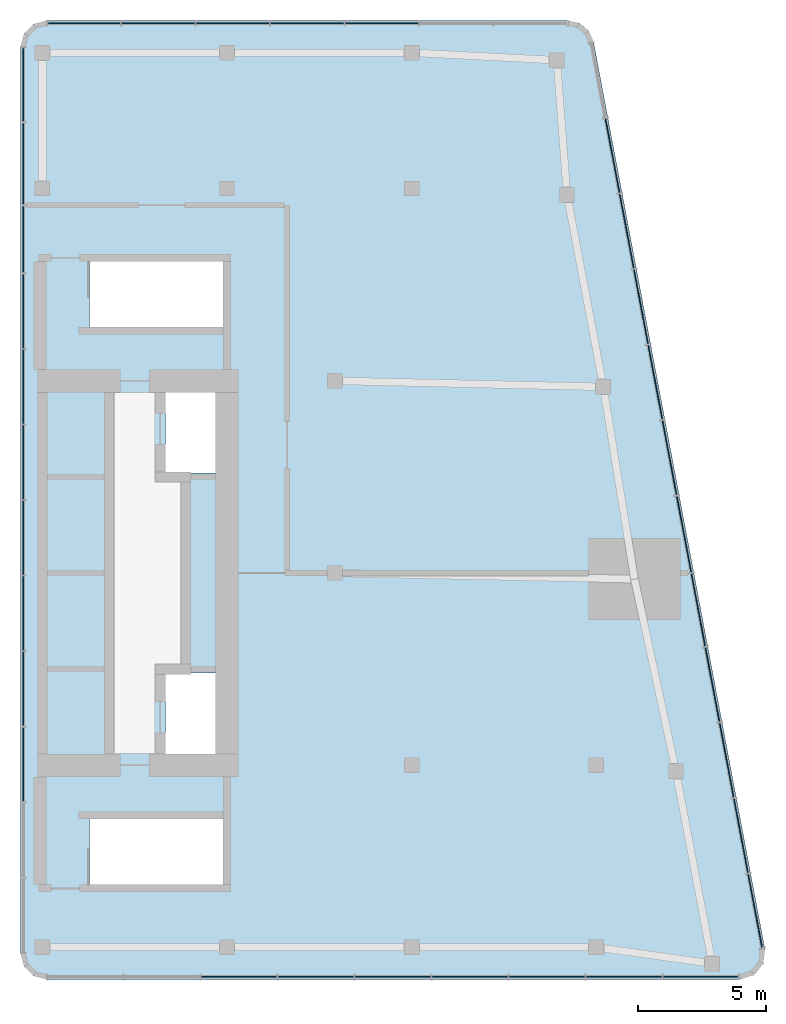
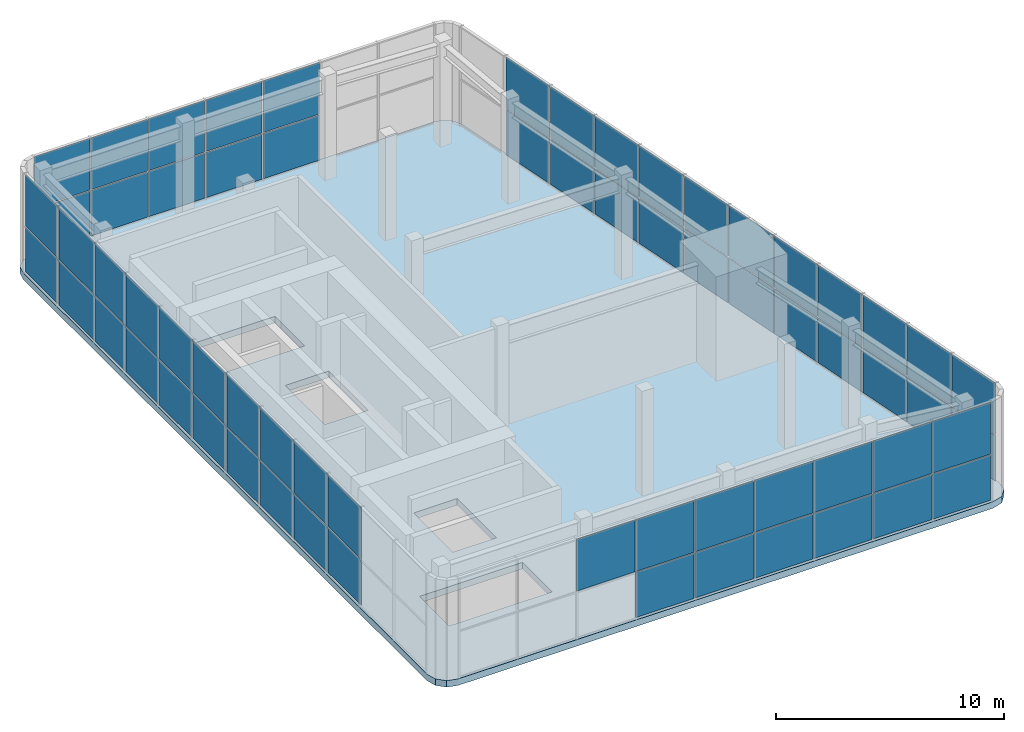
# One storey, part 4 of 6: 65 plates, 1 slab, 4 elements without a shape of their own.
"""IFC4 building model written with IfcOpenShell, lengths in metres."""

from ifc_helpers import new_model, si_unit, direction, frame, origin, origin_2d, place, context, subcontext, project, spatial, polyline, rectangle, outline, extrude, material, layer, layer_set, type_object, element, aggregate, save


model = new_model("IFC4")

# Units and contexts
model_context = context("Model", 3, precision=1e-05, world=origin(), true_north=direction((0.0, 1.0)))
body_context = subcontext(model_context, "Body", "Model", "MODEL_VIEW")
ifc_project = project(units=[si_unit("LENGTHUNIT", "METRE"), si_unit("AREAUNIT", "SQUARE_METRE"), si_unit("VOLUMEUNIT", "CUBIC_METRE"), si_unit("PLANEANGLEUNIT", "RADIAN"), si_unit("MASSUNIT", "GRAM", prefix="KILO")], contexts=[model_context])

# Site, building, storey
site_placement = place(None, origin())
site = spatial("IfcSite", under=ifc_project, at=site_placement, CompositionType="ELEMENT")
building_placement = place(site_placement, origin())
building = spatial("IfcBuilding", under=site, at=building_placement, Name="Sheger Commons Tower", CompositionType="ELEMENT")
storey_placement = place(building_placement, frame((0.0, 0.0, 301.60009765625)))
storey = spatial("IfcBuildingStorey", under=building, at=storey_placement, Name="L77", CompositionType="ELEMENT", Elevation=301.60009765625)

# Curtain wall, plates
ifc_material_1 = material(Name="Black aluminium curtain wall, dark tinted glazing", Category="aluminium")
curtain_wall_type = type_object("IfcCurtainWallType", Name="CURTAIN WALL CW6 LANTERN", PredefinedType="USERDEFINED", material=ifc_material_1)
curtain_wall_1_placement = place(storey_placement, origin())
curtain_wall_1 = element("IfcCurtainWall", 1, at=curtain_wall_1_placement, inside=storey, type_object=curtain_wall_type, Name="Curtain Wall Cw6 Lantern S1 L77", ObjectType="UNITISED CURTAIN WALL", PredefinedType="USERDEFINED")
ifc_material_2 = material(Name="Dark tinted double glazing, laminated inner and outer panes", Category="glass")
ifc_layer_1 = layer(ifc_material_2, 0.0439453125)
ifc_layer_set_1 = layer_set([ifc_layer_1], Name="GLAZED PANEL 44")
plate_type = type_object("IfcPlateType", Name="GLAZED PANEL 44", PredefinedType="CURTAIN_PANEL", material=ifc_layer_set_1)
plate_1_placement = place(storey_placement, frame((29.269775390625, 6.75, 2.532470703125), z_axis=(0.0, 0.0, 1.0), x_axis=(1.0, 0.0, 0.0)))
plate_1 = element("IfcPlate", 2, at=plate_1_placement, type_object=plate_type, Name="CW6 panel 3.2", PredefinedType="CURTAIN_PANEL", context=body_context, shape_type="SweptSolid", body=[
    extrude(rectangle(XDim=2.937744140625, YDim=0.0439453125, at=origin_2d()), origin(), (0.0, 0.0, 1.0), 2.75244140625),
])
plate_2_placement = place(storey_placement, frame((32.272216796875, 6.75, 0.06494140625), z_axis=(0.0, 0.0, 1.0), x_axis=(1.0, 0.0, 0.0)))
plate_2 = element("IfcPlate", 3, at=plate_2_placement, type_object=plate_type, Name="CW6 panel 4.1", PredefinedType="CURTAIN_PANEL", context=body_context, shape_type="SweptSolid", body=[
    extrude(rectangle(XDim=2.937744140625, YDim=0.0439453125, at=origin_2d()), origin(), (0.0, 0.0, 1.0), 2.402587890625),
])
plate_3_placement = place(storey_placement, frame((32.272216796875, 6.75, 2.532470703125), z_axis=(0.0, 0.0, 1.0), x_axis=(1.0, 0.0, 0.0)))
plate_3 = element("IfcPlate", 4, at=plate_3_placement, type_object=plate_type, Name="CW6 panel 4.2", PredefinedType="CURTAIN_PANEL", context=body_context, shape_type="SweptSolid", body=[
    extrude(rectangle(XDim=2.937744140625, YDim=0.0439453125, at=origin_2d()), origin(), (0.0, 0.0, 1.0), 2.75244140625),
])
plate_4_placement = place(storey_placement, frame((35.27490234375, 6.75, 0.06494140625), z_axis=(0.0, 0.0, 1.0), x_axis=(1.0, 0.0, 0.0)))
plate_4 = element("IfcPlate", 5, at=plate_4_placement, type_object=plate_type, Name="CW6 panel 5.1", PredefinedType="CURTAIN_PANEL", context=body_context, shape_type="SweptSolid", body=[
    extrude(rectangle(XDim=2.937744140625, YDim=0.0439453125, at=origin_2d()), origin(), (0.0, 0.0, 1.0), 2.402587890625),
])
plate_5_placement = place(storey_placement, frame((35.27490234375, 6.75, 2.532470703125), z_axis=(0.0, 0.0, 1.0), x_axis=(1.0, 0.0, 0.0)))
plate_5 = element("IfcPlate", 6, at=plate_5_placement, type_object=plate_type, Name="CW6 panel 5.2", PredefinedType="CURTAIN_PANEL", context=body_context, shape_type="SweptSolid", body=[
    extrude(rectangle(XDim=2.937744140625, YDim=0.0439453125, at=origin_2d()), origin(), (0.0, 0.0, 1.0), 2.75244140625),
])
plate_6_placement = place(storey_placement, frame((38.277587890625, 6.75, 0.06494140625), z_axis=(0.0, 0.0, 1.0), x_axis=(1.0, 0.0, 0.0)))
plate_6 = element("IfcPlate", 7, at=plate_6_placement, type_object=plate_type, Name="CW6 panel 6.1", PredefinedType="CURTAIN_PANEL", context=body_context, shape_type="SweptSolid", body=[
    extrude(rectangle(XDim=2.937744140625, YDim=0.0439453125, at=origin_2d()), origin(), (0.0, 0.0, 1.0), 2.402587890625),
])
plate_7_placement = place(storey_placement, frame((38.277587890625, 6.75, 2.532470703125), z_axis=(0.0, 0.0, 1.0), x_axis=(1.0, 0.0, 0.0)))
plate_7 = element("IfcPlate", 8, at=plate_7_placement, type_object=plate_type, Name="CW6 panel 6.2", PredefinedType="CURTAIN_PANEL", context=body_context, shape_type="SweptSolid", body=[
    extrude(rectangle(XDim=2.937744140625, YDim=0.0439453125, at=origin_2d()), origin(), (0.0, 0.0, 1.0), 2.75244140625),
])
plate_8_placement = place(storey_placement, frame((41.2802734375, 6.75, 0.06494140625), z_axis=(0.0, 0.0, 1.0), x_axis=(1.0, 0.0, 0.0)))
plate_8 = element("IfcPlate", 9, at=plate_8_placement, type_object=plate_type, Name="CW6 panel 7.1", PredefinedType="CURTAIN_PANEL", context=body_context, shape_type="SweptSolid", body=[
    extrude(rectangle(XDim=2.937744140625, YDim=0.0439453125, at=origin_2d()), origin(), (0.0, 0.0, 1.0), 2.402587890625),
])
plate_9_placement = place(storey_placement, frame((41.2802734375, 6.75, 2.532470703125), z_axis=(0.0, 0.0, 1.0), x_axis=(1.0, 0.0, 0.0)))
plate_9 = element("IfcPlate", 10, at=plate_9_placement, type_object=plate_type, Name="CW6 panel 7.2", PredefinedType="CURTAIN_PANEL", context=body_context, shape_type="SweptSolid", body=[
    extrude(rectangle(XDim=2.937744140625, YDim=0.0439453125, at=origin_2d()), origin(), (0.0, 0.0, 1.0), 2.75244140625),
])
plate_10_placement = place(storey_placement, frame((44.282958984375, 6.75, 0.06494140625), z_axis=(0.0, 0.0, 1.0), x_axis=(1.0, 0.0, 0.0)))
plate_10 = element("IfcPlate", 11, at=plate_10_placement, type_object=plate_type, Name="CW6 panel 8.1", PredefinedType="CURTAIN_PANEL", context=body_context, shape_type="SweptSolid", body=[
    extrude(rectangle(XDim=2.937744140625, YDim=0.0439453125, at=origin_2d()), origin(), (0.0, 0.0, 1.0), 2.402587890625),
])
plate_11_placement = place(storey_placement, frame((44.282958984375, 6.75, 2.532470703125), z_axis=(0.0, 0.0, 1.0), x_axis=(1.0, 0.0, 0.0)))
plate_11 = element("IfcPlate", 12, at=plate_11_placement, type_object=plate_type, Name="CW6 panel 8.2", PredefinedType="CURTAIN_PANEL", context=body_context, shape_type="SweptSolid", body=[
    extrude(rectangle(XDim=2.937744140625, YDim=0.0439453125, at=origin_2d()), origin(), (0.0, 0.0, 1.0), 2.75244140625),
])
plate_12_placement = place(storey_placement, frame((47.26953125, 6.75, 0.06494140625), z_axis=(0.0, 0.0, 1.0), x_axis=(1.0, 0.0, 0.0)))
plate_12 = element("IfcPlate", 13, at=plate_12_placement, type_object=plate_type, Name="CW6 panel 9.1", PredefinedType="CURTAIN_PANEL", context=body_context, shape_type="SweptSolid", body=[
    extrude(rectangle(XDim=2.9052734375, YDim=0.0439453125, at=origin_2d()), origin(), (0.0, 0.0, 1.0), 2.402587890625),
])
plate_13_placement = place(storey_placement, frame((47.26953125, 6.75, 2.532470703125), z_axis=(0.0, 0.0, 1.0), x_axis=(1.0, 0.0, 0.0)))
plate_13 = element("IfcPlate", 14, at=plate_13_placement, type_object=plate_type, Name="CW6 panel 9.2", PredefinedType="CURTAIN_PANEL", context=body_context, shape_type="SweptSolid", body=[
    extrude(rectangle(XDim=2.9052734375, YDim=0.0439453125, at=origin_2d()), origin(), (0.0, 0.0, 1.0), 2.75244140625),
])
aggregate(curtain_wall_1, [plate_1, plate_2, plate_3, plate_4, plate_5, plate_6, plate_7, plate_8, plate_9, plate_10, plate_11, plate_12, plate_13])

curtain_wall_2_placement = place(storey_placement, origin())
curtain_wall_2 = element("IfcCurtainWall", 15, at=curtain_wall_2_placement, inside=storey, type_object=curtain_wall_type, Name="Curtain Wall Cw6 Lantern E1 L77", ObjectType="UNITISED CURTAIN WALL", PredefinedType="USERDEFINED")
plate_14_placement = place(storey_placement, frame((49.402587890625, 9.322021484375, 0.06494140625), z_axis=(0.0, 0.0, 1.0), x_axis=(-0.185613331041, 0.982622863229, 0.0)))
plate_14 = element("IfcPlate", 16, at=plate_14_placement, type_object=plate_type, Name="CW6 panel 1.1", PredefinedType="CURTAIN_PANEL", context=body_context, shape_type="SweptSolid", body=[
    extrude(rectangle(XDim=2.902587890625, YDim=0.0439453125, at=origin_2d()), origin(), (0.0, 0.0, 1.0), 2.402587890625),
])
plate_15_placement = place(storey_placement, frame((49.402587890625, 9.322021484375, 2.532470703125), z_axis=(0.0, 0.0, 1.0), x_axis=(-0.185613331041, 0.982622863229, 0.0)))
plate_15 = element("IfcPlate", 17, at=plate_15_placement, type_object=plate_type, Name="CW6 panel 1.2", PredefinedType="CURTAIN_PANEL", context=body_context, shape_type="SweptSolid", body=[
    extrude(rectangle(XDim=2.902587890625, YDim=0.0439453125, at=origin_2d()), origin(), (0.0, 0.0, 1.0), 2.75244140625),
])
plate_16_placement = place(storey_placement, frame((48.8486328125, 12.25390625, 0.06494140625), z_axis=(0.0, 0.0, 1.0), x_axis=(-0.185613331041, 0.982622863229, 0.0)))
plate_16 = element("IfcPlate", 18, at=plate_16_placement, type_object=plate_type, Name="CW6 panel 2.1", PredefinedType="CURTAIN_PANEL", context=body_context, shape_type="SweptSolid", body=[
    extrude(rectangle(XDim=2.93505859375, YDim=0.0439453125, at=origin_2d()), origin(), (0.0, 0.0, 1.0), 2.402587890625),
])
plate_17_placement = place(storey_placement, frame((48.8486328125, 12.25390625, 2.532470703125), z_axis=(0.0, 0.0, 1.0), x_axis=(-0.185613331041, 0.982622863229, 0.0)))
plate_17 = element("IfcPlate", 19, at=plate_17_placement, type_object=plate_type, Name="CW6 panel 2.2", PredefinedType="CURTAIN_PANEL", context=body_context, shape_type="SweptSolid", body=[
    extrude(rectangle(XDim=2.93505859375, YDim=0.0439453125, at=origin_2d()), origin(), (0.0, 0.0, 1.0), 2.75244140625),
])
plate_18_placement = place(storey_placement, frame((48.2919921875, 15.20166015625, 0.06494140625), z_axis=(0.0, 0.0, 1.0), x_axis=(-0.185613331041, 0.982622863229, 0.0)))
plate_18 = element("IfcPlate", 20, at=plate_18_placement, type_object=plate_type, Name="CW6 panel 3.1", PredefinedType="CURTAIN_PANEL", context=body_context, shape_type="SweptSolid", body=[
    extrude(rectangle(XDim=2.93505859375, YDim=0.0439453125, at=origin_2d()), origin(), (0.0, 0.0, 1.0), 2.402587890625),
])
plate_19_placement = place(storey_placement, frame((48.2919921875, 15.20166015625, 2.532470703125), z_axis=(0.0, 0.0, 1.0), x_axis=(-0.185613331041, 0.982622863229, 0.0)))
plate_19 = element("IfcPlate", 21, at=plate_19_placement, type_object=plate_type, Name="CW6 panel 3.2", PredefinedType="CURTAIN_PANEL", context=body_context, shape_type="SweptSolid", body=[
    extrude(rectangle(XDim=2.93505859375, YDim=0.0439453125, at=origin_2d()), origin(), (0.0, 0.0, 1.0), 2.75244140625),
])
plate_20_placement = place(storey_placement, frame((47.735107421875, 18.149658203125, 0.06494140625), z_axis=(0.0, 0.0, 1.0), x_axis=(-0.185613331041, 0.982622863229, 0.0)))
plate_20 = element("IfcPlate", 22, at=plate_20_placement, type_object=plate_type, Name="CW6 panel 4.1", PredefinedType="CURTAIN_PANEL", context=body_context, shape_type="SweptSolid", body=[
    extrude(rectangle(XDim=2.93505859375, YDim=0.0439453125, at=origin_2d()), origin(), (0.0, 0.0, 1.0), 2.402587890625),
])
plate_21_placement = place(storey_placement, frame((47.735107421875, 18.149658203125, 2.532470703125), z_axis=(0.0, 0.0, 1.0), x_axis=(-0.185613331041, 0.982622863229, 0.0)))
plate_21 = element("IfcPlate", 23, at=plate_21_placement, type_object=plate_type, Name="CW6 panel 4.2", PredefinedType="CURTAIN_PANEL", context=body_context, shape_type="SweptSolid", body=[
    extrude(rectangle(XDim=2.93505859375, YDim=0.0439453125, at=origin_2d()), origin(), (0.0, 0.0, 1.0), 2.75244140625),
])
plate_22_placement = place(storey_placement, frame((47.18505859375, 21.0615234375, 0.06494140625), z_axis=(0.0, 0.0, 1.0), x_axis=(-0.185613331041, 0.982622863229, 0.0)))
plate_22 = element("IfcPlate", 24, at=plate_22_placement, type_object=plate_type, Name="CW6 panel 5.1", PredefinedType="CURTAIN_PANEL", context=body_context, shape_type="SweptSolid", body=[
    extrude(rectangle(XDim=2.862060546875, YDim=0.0439453125, at=origin_2d()), origin(), (0.0, 0.0, 1.0), 2.402587890625),
])
plate_23_placement = place(storey_placement, frame((47.18505859375, 21.0615234375, 2.532470703125), z_axis=(0.0, 0.0, 1.0), x_axis=(-0.185613331041, 0.982622863229, 0.0)))
plate_23 = element("IfcPlate", 25, at=plate_23_placement, type_object=plate_type, Name="CW6 panel 5.2", PredefinedType="CURTAIN_PANEL", context=body_context, shape_type="SweptSolid", body=[
    extrude(rectangle(XDim=2.862060546875, YDim=0.0439453125, at=origin_2d()), origin(), (0.0, 0.0, 1.0), 2.75244140625),
])
plate_24_placement = place(storey_placement, frame((46.628173828125, 24.009521484375, 0.06494140625), z_axis=(0.0, 0.0, 1.0), x_axis=(-0.185613331041, 0.982622863229, 0.0)))
plate_24 = element("IfcPlate", 26, at=plate_24_placement, type_object=plate_type, Name="CW6 panel 6.1", PredefinedType="CURTAIN_PANEL", context=body_context, shape_type="SweptSolid", body=[
    extrude(rectangle(XDim=3.008056640625, YDim=0.0439453125, at=origin_2d()), origin(), (0.0, 0.0, 1.0), 2.402587890625),
])
plate_25_placement = place(storey_placement, frame((46.628173828125, 24.009521484375, 2.532470703125), z_axis=(0.0, 0.0, 1.0), x_axis=(-0.185613331041, 0.982622863229, 0.0)))
plate_25 = element("IfcPlate", 27, at=plate_25_placement, type_object=plate_type, Name="CW6 panel 6.2", PredefinedType="CURTAIN_PANEL", context=body_context, shape_type="SweptSolid", body=[
    extrude(rectangle(XDim=3.008056640625, YDim=0.0439453125, at=origin_2d()), origin(), (0.0, 0.0, 1.0), 2.75244140625),
])
plate_26_placement = place(storey_placement, frame((46.064453125, 26.9931640625, 0.06494140625), z_axis=(0.0, 0.0, 1.0), x_axis=(-0.185613331041, 0.982622863229, 0.0)))
plate_26 = element("IfcPlate", 28, at=plate_26_placement, type_object=plate_type, Name="CW6 panel 7.1", PredefinedType="CURTAIN_PANEL", context=body_context, shape_type="SweptSolid", body=[
    extrude(rectangle(XDim=2.93505859375, YDim=0.0439453125, at=origin_2d()), origin(), (0.0, 0.0, 1.0), 2.402587890625),
])
plate_27_placement = place(storey_placement, frame((46.064453125, 26.9931640625, 2.532470703125), z_axis=(0.0, 0.0, 1.0), x_axis=(-0.185613331041, 0.982622863229, 0.0)))
plate_27 = element("IfcPlate", 29, at=plate_27_placement, type_object=plate_type, Name="CW6 panel 7.2", PredefinedType="CURTAIN_PANEL", context=body_context, shape_type="SweptSolid", body=[
    extrude(rectangle(XDim=2.93505859375, YDim=0.0439453125, at=origin_2d()), origin(), (0.0, 0.0, 1.0), 2.75244140625),
])
plate_28_placement = place(storey_placement, frame((45.5078125, 29.94091796875, 0.06494140625), z_axis=(0.0, 0.0, 1.0), x_axis=(-0.185613331041, 0.982622863229, 0.0)))
plate_28 = element("IfcPlate", 30, at=plate_28_placement, type_object=plate_type, Name="CW6 panel 8.1", PredefinedType="CURTAIN_PANEL", context=body_context, shape_type="SweptSolid", body=[
    extrude(rectangle(XDim=2.93505859375, YDim=0.0439453125, at=origin_2d()), origin(), (0.0, 0.0, 1.0), 2.402587890625),
])
plate_29_placement = place(storey_placement, frame((45.5078125, 29.94091796875, 2.532470703125), z_axis=(0.0, 0.0, 1.0), x_axis=(-0.185613331041, 0.982622863229, 0.0)))
plate_29 = element("IfcPlate", 31, at=plate_29_placement, type_object=plate_type, Name="CW6 panel 8.2", PredefinedType="CURTAIN_PANEL", context=body_context, shape_type="SweptSolid", body=[
    extrude(rectangle(XDim=2.93505859375, YDim=0.0439453125, at=origin_2d()), origin(), (0.0, 0.0, 1.0), 2.75244140625),
])
plate_30_placement = place(storey_placement, frame((44.950927734375, 32.888916015625, 0.06494140625), z_axis=(0.0, 0.0, 1.0), x_axis=(-0.185613331041, 0.982622863229, 0.0)))
plate_30 = element("IfcPlate", 32, at=plate_30_placement, type_object=plate_type, Name="CW6 panel 9.1", PredefinedType="CURTAIN_PANEL", context=body_context, shape_type="SweptSolid", body=[
    extrude(rectangle(XDim=2.93505859375, YDim=0.0439453125, at=origin_2d()), origin(), (0.0, 0.0, 1.0), 2.402587890625),
])
plate_31_placement = place(storey_placement, frame((44.950927734375, 32.888916015625, 2.532470703125), z_axis=(0.0, 0.0, 1.0), x_axis=(-0.185613331041, 0.982622863229, 0.0)))
plate_31 = element("IfcPlate", 33, at=plate_31_placement, type_object=plate_type, Name="CW6 panel 9.2", PredefinedType="CURTAIN_PANEL", context=body_context, shape_type="SweptSolid", body=[
    extrude(rectangle(XDim=2.93505859375, YDim=0.0439453125, at=origin_2d()), origin(), (0.0, 0.0, 1.0), 2.75244140625),
])
plate_32_placement = place(storey_placement, frame((44.39404296875, 35.836669921875, 0.06494140625), z_axis=(0.0, 0.0, 1.0), x_axis=(-0.185613331041, 0.982622863229, 0.0)))
plate_32 = element("IfcPlate", 34, at=plate_32_placement, type_object=plate_type, Name="CW6 panel 10.1", PredefinedType="CURTAIN_PANEL", context=body_context, shape_type="SweptSolid", body=[
    extrude(rectangle(XDim=2.93505859375, YDim=0.0439453125, at=origin_2d()), origin(), (0.0, 0.0, 1.0), 2.402587890625),
])
plate_33_placement = place(storey_placement, frame((44.39404296875, 35.836669921875, 2.532470703125), z_axis=(0.0, 0.0, 1.0), x_axis=(-0.185613331041, 0.982622863229, 0.0)))
plate_33 = element("IfcPlate", 35, at=plate_33_placement, type_object=plate_type, Name="CW6 panel 10.2", PredefinedType="CURTAIN_PANEL", context=body_context, shape_type="SweptSolid", body=[
    extrude(rectangle(XDim=2.93505859375, YDim=0.0439453125, at=origin_2d()), origin(), (0.0, 0.0, 1.0), 2.75244140625),
])
plate_34_placement = place(storey_placement, frame((43.837158203125, 38.78466796875, 0.06494140625), z_axis=(0.0, 0.0, 1.0), x_axis=(-0.185613331041, 0.982622863229, 0.0)))
plate_34 = element("IfcPlate", 36, at=plate_34_placement, type_object=plate_type, Name="CW6 panel 11.1", PredefinedType="CURTAIN_PANEL", context=body_context, shape_type="SweptSolid", body=[
    extrude(rectangle(XDim=2.93505859375, YDim=0.0439453125, at=origin_2d()), origin(), (0.0, 0.0, 1.0), 2.402587890625),
])
plate_35_placement = place(storey_placement, frame((43.837158203125, 38.78466796875, 2.532470703125), z_axis=(0.0, 0.0, 1.0), x_axis=(-0.185613331041, 0.982622863229, 0.0)))
plate_35 = element("IfcPlate", 37, at=plate_35_placement, type_object=plate_type, Name="CW6 panel 11.2", PredefinedType="CURTAIN_PANEL", context=body_context, shape_type="SweptSolid", body=[
    extrude(rectangle(XDim=2.93505859375, YDim=0.0439453125, at=origin_2d()), origin(), (0.0, 0.0, 1.0), 2.75244140625),
])
aggregate(curtain_wall_2, [plate_14, plate_15, plate_16, plate_17, plate_18, plate_19, plate_20, plate_21, plate_22, plate_23, plate_24, plate_25, plate_26, plate_27, plate_28, plate_29, plate_30, plate_31, plate_32, plate_33, plate_34, plate_35])

curtain_wall_3_placement = place(storey_placement, origin())
curtain_wall_3 = element("IfcCurtainWall", 38, at=curtain_wall_3_placement, inside=storey, type_object=curtain_wall_type, Name="Curtain Wall Cw6 Lantern N1 L77", ObjectType="UNITISED CURTAIN WALL", PredefinedType="USERDEFINED")
plate_36_placement = place(storey_placement, frame((34.838623046875, 43.949951171875, 0.06494140625), z_axis=(0.0, 0.0, 1.0), x_axis=(-1.0, 0.0, 0.0)))
plate_36 = element("IfcPlate", 39, at=plate_36_placement, type_object=plate_type, Name="CW6 panel 3.1", PredefinedType="CURTAIN_PANEL", context=body_context, shape_type="SweptSolid", body=[
    extrude(rectangle(XDim=2.8408203125, YDim=0.0439453125, at=origin_2d()), origin(), (0.0, 0.0, 1.0), 2.402587890625),
])
plate_37_placement = place(storey_placement, frame((34.838623046875, 43.949951171875, 2.532470703125), z_axis=(0.0, 0.0, 1.0), x_axis=(-1.0, 0.0, 0.0)))
plate_37 = element("IfcPlate", 40, at=plate_37_placement, type_object=plate_type, Name="CW6 panel 3.2", PredefinedType="CURTAIN_PANEL", context=body_context, shape_type="SweptSolid", body=[
    extrude(rectangle(XDim=2.8408203125, YDim=0.0439453125, at=origin_2d()), origin(), (0.0, 0.0, 1.0), 2.75244140625),
])
plate_38_placement = place(storey_placement, frame((31.93310546875, 43.949951171875, 0.06494140625), z_axis=(0.0, 0.0, 1.0), x_axis=(-1.0, 0.0, 0.0)))
plate_38 = element("IfcPlate", 41, at=plate_38_placement, type_object=plate_type, Name="CW6 panel 4.1", PredefinedType="CURTAIN_PANEL", context=body_context, shape_type="SweptSolid", body=[
    extrude(rectangle(XDim=2.8408203125, YDim=0.0439453125, at=origin_2d()), origin(), (0.0, 0.0, 1.0), 2.402587890625),
])
plate_39_placement = place(storey_placement, frame((31.93310546875, 43.949951171875, 2.532470703125), z_axis=(0.0, 0.0, 1.0), x_axis=(-1.0, 0.0, 0.0)))
plate_39 = element("IfcPlate", 42, at=plate_39_placement, type_object=plate_type, Name="CW6 panel 4.2", PredefinedType="CURTAIN_PANEL", context=body_context, shape_type="SweptSolid", body=[
    extrude(rectangle(XDim=2.8408203125, YDim=0.0439453125, at=origin_2d()), origin(), (0.0, 0.0, 1.0), 2.75244140625),
])
plate_40_placement = place(storey_placement, frame((29.02734375, 43.949951171875, 0.06494140625), z_axis=(0.0, 0.0, 1.0), x_axis=(-1.0, 0.0, 0.0)))
plate_40 = element("IfcPlate", 43, at=plate_40_placement, type_object=plate_type, Name="CW6 panel 5.1", PredefinedType="CURTAIN_PANEL", context=body_context, shape_type="SweptSolid", body=[
    extrude(rectangle(XDim=2.8408203125, YDim=0.0439453125, at=origin_2d()), origin(), (0.0, 0.0, 1.0), 2.402587890625),
])
plate_41_placement = place(storey_placement, frame((29.02734375, 43.949951171875, 2.532470703125), z_axis=(0.0, 0.0, 1.0), x_axis=(-1.0, 0.0, 0.0)))
plate_41 = element("IfcPlate", 44, at=plate_41_placement, type_object=plate_type, Name="CW6 panel 5.2", PredefinedType="CURTAIN_PANEL", context=body_context, shape_type="SweptSolid", body=[
    extrude(rectangle(XDim=2.8408203125, YDim=0.0439453125, at=origin_2d()), origin(), (0.0, 0.0, 1.0), 2.75244140625),
])
plate_42_placement = place(storey_placement, frame((26.12158203125, 43.949951171875, 0.06494140625), z_axis=(0.0, 0.0, 1.0), x_axis=(-1.0, 0.0, 0.0)))
plate_42 = element("IfcPlate", 45, at=plate_42_placement, type_object=plate_type, Name="CW6 panel 6.1", PredefinedType="CURTAIN_PANEL", context=body_context, shape_type="SweptSolid", body=[
    extrude(rectangle(XDim=2.8408203125, YDim=0.0439453125, at=origin_2d()), origin(), (0.0, 0.0, 1.0), 2.402587890625),
])
plate_43_placement = place(storey_placement, frame((26.12158203125, 43.949951171875, 2.532470703125), z_axis=(0.0, 0.0, 1.0), x_axis=(-1.0, 0.0, 0.0)))
plate_43 = element("IfcPlate", 46, at=plate_43_placement, type_object=plate_type, Name="CW6 panel 6.2", PredefinedType="CURTAIN_PANEL", context=body_context, shape_type="SweptSolid", body=[
    extrude(rectangle(XDim=2.8408203125, YDim=0.0439453125, at=origin_2d()), origin(), (0.0, 0.0, 1.0), 2.75244140625),
])
plate_44_placement = place(storey_placement, frame((23.232177734375, 43.949951171875, 0.06494140625), z_axis=(0.0, 0.0, 1.0), x_axis=(-1.0, 0.0, 0.0)))
plate_44 = element("IfcPlate", 47, at=plate_44_placement, type_object=plate_type, Name="CW6 panel 7.1", PredefinedType="CURTAIN_PANEL", context=body_context, shape_type="SweptSolid", body=[
    extrude(rectangle(XDim=2.80810546875, YDim=0.0439453125, at=origin_2d()), origin(), (0.0, 0.0, 1.0), 2.402587890625),
])
plate_45_placement = place(storey_placement, frame((23.232177734375, 43.949951171875, 2.532470703125), z_axis=(0.0, 0.0, 1.0), x_axis=(-1.0, 0.0, 0.0)))
plate_45 = element("IfcPlate", 48, at=plate_45_placement, type_object=plate_type, Name="CW6 panel 7.2", PredefinedType="CURTAIN_PANEL", context=body_context, shape_type="SweptSolid", body=[
    extrude(rectangle(XDim=2.80810546875, YDim=0.0439453125, at=origin_2d()), origin(), (0.0, 0.0, 1.0), 2.75244140625),
])
aggregate(curtain_wall_3, [plate_36, plate_37, plate_38, plate_39, plate_40, plate_41, plate_42, plate_43, plate_44, plate_45])

curtain_wall_4_placement = place(storey_placement, origin())
curtain_wall_4 = element("IfcCurtainWall", 49, at=curtain_wall_4_placement, inside=storey, type_object=curtain_wall_type, Name="Curtain Wall Cw6 Lantern W1 L77", ObjectType="UNITISED CURTAIN WALL", PredefinedType="USERDEFINED")
plate_46_placement = place(storey_placement, frame((20.85009765625, 41.546630859375, 0.06494140625), z_axis=(0.0, 0.0, 1.0), x_axis=(0.0, -1.0, 0.0)))
plate_46 = element("IfcPlate", 50, at=plate_46_placement, type_object=plate_type, Name="CW6 panel 1.1", PredefinedType="CURTAIN_PANEL", context=body_context, shape_type="SweptSolid", body=[
    extrude(rectangle(XDim=2.8505859375, YDim=0.0439453125, at=origin_2d()), origin(), (0.0, 0.0, 1.0), 2.402587890625),
])
plate_47_placement = place(storey_placement, frame((20.85009765625, 41.546630859375, 2.532470703125), z_axis=(0.0, 0.0, 1.0), x_axis=(0.0, -1.0, 0.0)))
plate_47 = element("IfcPlate", 51, at=plate_47_placement, type_object=plate_type, Name="CW6 panel 1.2", PredefinedType="CURTAIN_PANEL", context=body_context, shape_type="SweptSolid", body=[
    extrude(rectangle(XDim=2.8505859375, YDim=0.0439453125, at=origin_2d()), origin(), (0.0, 0.0, 1.0), 2.75244140625),
])
plate_48_placement = place(storey_placement, frame((20.85009765625, 38.469482421875, 0.06494140625), z_axis=(0.0, 0.0, 1.0), x_axis=(0.0, -1.0, 0.0)))
plate_48 = element("IfcPlate", 52, at=plate_48_placement, type_object=plate_type, Name="CW6 panel 2.1", PredefinedType="CURTAIN_PANEL", context=body_context, shape_type="SweptSolid", body=[
    extrude(rectangle(XDim=3.174072265625, YDim=0.0439453125, at=origin_2d()), origin(), (0.0, 0.0, 1.0), 2.402587890625),
])
plate_49_placement = place(storey_placement, frame((20.85009765625, 38.469482421875, 2.532470703125), z_axis=(0.0, 0.0, 1.0), x_axis=(0.0, -1.0, 0.0)))
plate_49 = element("IfcPlate", 53, at=plate_49_placement, type_object=plate_type, Name="CW6 panel 2.2", PredefinedType="CURTAIN_PANEL", context=body_context, shape_type="SweptSolid", body=[
    extrude(rectangle(XDim=3.174072265625, YDim=0.0439453125, at=origin_2d()), origin(), (0.0, 0.0, 1.0), 2.75244140625),
])
plate_50_placement = place(storey_placement, frame((20.85009765625, 35.52197265625, 0.06494140625), z_axis=(0.0, 0.0, 1.0), x_axis=(0.0, -1.0, 0.0)))
plate_50 = element("IfcPlate", 54, at=plate_50_placement, type_object=plate_type, Name="CW6 panel 3.1", PredefinedType="CURTAIN_PANEL", context=body_context, shape_type="SweptSolid", body=[
    extrude(rectangle(XDim=2.591064453125, YDim=0.0439453125, at=origin_2d()), origin(), (0.0, 0.0, 1.0), 2.402587890625),
])
plate_51_placement = place(storey_placement, frame((20.85009765625, 35.52197265625, 2.532470703125), z_axis=(0.0, 0.0, 1.0), x_axis=(0.0, -1.0, 0.0)))
plate_51 = element("IfcPlate", 55, at=plate_51_placement, type_object=plate_type, Name="CW6 panel 3.2", PredefinedType="CURTAIN_PANEL", context=body_context, shape_type="SweptSolid", body=[
    extrude(rectangle(XDim=2.591064453125, YDim=0.0439453125, at=origin_2d()), origin(), (0.0, 0.0, 1.0), 2.75244140625),
])
plate_52_placement = place(storey_placement, frame((20.85009765625, 32.719970703125, 0.06494140625), z_axis=(0.0, 0.0, 1.0), x_axis=(0.0, -1.0, 0.0)))
plate_52 = element("IfcPlate", 56, at=plate_52_placement, type_object=plate_type, Name="CW6 panel 4.1", PredefinedType="CURTAIN_PANEL", context=body_context, shape_type="SweptSolid", body=[
    extrude(rectangle(XDim=2.883056640625, YDim=0.0439453125, at=origin_2d()), origin(), (0.0, 0.0, 1.0), 2.402587890625),
])
plate_53_placement = place(storey_placement, frame((20.85009765625, 32.719970703125, 2.532470703125), z_axis=(0.0, 0.0, 1.0), x_axis=(0.0, -1.0, 0.0)))
plate_53 = element("IfcPlate", 57, at=plate_53_placement, type_object=plate_type, Name="CW6 panel 4.2", PredefinedType="CURTAIN_PANEL", context=body_context, shape_type="SweptSolid", body=[
    extrude(rectangle(XDim=2.883056640625, YDim=0.0439453125, at=origin_2d()), origin(), (0.0, 0.0, 1.0), 2.75244140625),
])
plate_54_placement = place(storey_placement, frame((20.85009765625, 29.77197265625, 0.06494140625), z_axis=(0.0, 0.0, 1.0), x_axis=(0.0, -1.0, 0.0)))
plate_54 = element("IfcPlate", 58, at=plate_54_placement, type_object=plate_type, Name="CW6 panel 5.1", PredefinedType="CURTAIN_PANEL", context=body_context, shape_type="SweptSolid", body=[
    extrude(rectangle(XDim=2.883056640625, YDim=0.0439453125, at=origin_2d()), origin(), (0.0, 0.0, 1.0), 2.402587890625),
])
plate_55_placement = place(storey_placement, frame((20.85009765625, 29.77197265625, 2.532470703125), z_axis=(0.0, 0.0, 1.0), x_axis=(0.0, -1.0, 0.0)))
plate_55 = element("IfcPlate", 59, at=plate_55_placement, type_object=plate_type, Name="CW6 panel 5.2", PredefinedType="CURTAIN_PANEL", context=body_context, shape_type="SweptSolid", body=[
    extrude(rectangle(XDim=2.883056640625, YDim=0.0439453125, at=origin_2d()), origin(), (0.0, 0.0, 1.0), 2.75244140625),
])
plate_56_placement = place(storey_placement, frame((20.85009765625, 26.823974609375, 0.06494140625), z_axis=(0.0, 0.0, 1.0), x_axis=(0.0, -1.0, 0.0)))
plate_56 = element("IfcPlate", 60, at=plate_56_placement, type_object=plate_type, Name="CW6 panel 6.1", PredefinedType="CURTAIN_PANEL", context=body_context, shape_type="SweptSolid", body=[
    extrude(rectangle(XDim=2.883056640625, YDim=0.0439453125, at=origin_2d()), origin(), (0.0, 0.0, 1.0), 2.402587890625),
])
plate_57_placement = place(storey_placement, frame((20.85009765625, 26.823974609375, 2.532470703125), z_axis=(0.0, 0.0, 1.0), x_axis=(0.0, -1.0, 0.0)))
plate_57 = element("IfcPlate", 61, at=plate_57_placement, type_object=plate_type, Name="CW6 panel 6.2", PredefinedType="CURTAIN_PANEL", context=body_context, shape_type="SweptSolid", body=[
    extrude(rectangle(XDim=2.883056640625, YDim=0.0439453125, at=origin_2d()), origin(), (0.0, 0.0, 1.0), 2.75244140625),
])
plate_58_placement = place(storey_placement, frame((20.85009765625, 23.8759765625, 0.06494140625), z_axis=(0.0, 0.0, 1.0), x_axis=(0.0, -1.0, 0.0)))
plate_58 = element("IfcPlate", 62, at=plate_58_placement, type_object=plate_type, Name="CW6 panel 7.1", PredefinedType="CURTAIN_PANEL", context=body_context, shape_type="SweptSolid", body=[
    extrude(rectangle(XDim=2.883056640625, YDim=0.0439453125, at=origin_2d()), origin(), (0.0, 0.0, 1.0), 2.402587890625),
])
plate_59_placement = place(storey_placement, frame((20.85009765625, 23.8759765625, 2.532470703125), z_axis=(0.0, 0.0, 1.0), x_axis=(0.0, -1.0, 0.0)))
plate_59 = element("IfcPlate", 63, at=plate_59_placement, type_object=plate_type, Name="CW6 panel 7.2", PredefinedType="CURTAIN_PANEL", context=body_context, shape_type="SweptSolid", body=[
    extrude(rectangle(XDim=2.883056640625, YDim=0.0439453125, at=origin_2d()), origin(), (0.0, 0.0, 1.0), 2.75244140625),
])
plate_60_placement = place(storey_placement, frame((20.85009765625, 20.927978515625, 0.06494140625), z_axis=(0.0, 0.0, 1.0), x_axis=(0.0, -1.0, 0.0)))
plate_60 = element("IfcPlate", 64, at=plate_60_placement, type_object=plate_type, Name="CW6 panel 8.1", PredefinedType="CURTAIN_PANEL", context=body_context, shape_type="SweptSolid", body=[
    extrude(rectangle(XDim=2.883056640625, YDim=0.0439453125, at=origin_2d()), origin(), (0.0, 0.0, 1.0), 2.402587890625),
])
plate_61_placement = place(storey_placement, frame((20.85009765625, 20.927978515625, 2.532470703125), z_axis=(0.0, 0.0, 1.0), x_axis=(0.0, -1.0, 0.0)))
plate_61 = element("IfcPlate", 65, at=plate_61_placement, type_object=plate_type, Name="CW6 panel 8.2", PredefinedType="CURTAIN_PANEL", context=body_context, shape_type="SweptSolid", body=[
    extrude(rectangle(XDim=2.883056640625, YDim=0.0439453125, at=origin_2d()), origin(), (0.0, 0.0, 1.0), 2.75244140625),
])
plate_62_placement = place(storey_placement, frame((20.85009765625, 17.98046875, 0.06494140625), z_axis=(0.0, 0.0, 1.0), x_axis=(0.0, -1.0, 0.0)))
plate_62 = element("IfcPlate", 66, at=plate_62_placement, type_object=plate_type, Name="CW6 panel 9.1", PredefinedType="CURTAIN_PANEL", context=body_context, shape_type="SweptSolid", body=[
    extrude(rectangle(XDim=2.882080078125, YDim=0.0439453125, at=origin_2d()), origin(), (0.0, 0.0, 1.0), 2.402587890625),
])
plate_63_placement = place(storey_placement, frame((20.85009765625, 17.98046875, 2.532470703125), z_axis=(0.0, 0.0, 1.0), x_axis=(0.0, -1.0, 0.0)))
plate_63 = element("IfcPlate", 67, at=plate_63_placement, type_object=plate_type, Name="CW6 panel 9.2", PredefinedType="CURTAIN_PANEL", context=body_context, shape_type="SweptSolid", body=[
    extrude(rectangle(XDim=2.882080078125, YDim=0.0439453125, at=origin_2d()), origin(), (0.0, 0.0, 1.0), 2.75244140625),
])
plate_64_placement = place(storey_placement, frame((20.85009765625, 15.032958984375, 0.06494140625), z_axis=(0.0, 0.0, 1.0), x_axis=(0.0, -1.0, 0.0)))
plate_64 = element("IfcPlate", 68, at=plate_64_placement, type_object=plate_type, Name="CW6 panel 10.1", PredefinedType="CURTAIN_PANEL", context=body_context, shape_type="SweptSolid", body=[
    extrude(rectangle(XDim=2.883056640625, YDim=0.0439453125, at=origin_2d()), origin(), (0.0, 0.0, 1.0), 2.402587890625),
])
plate_65_placement = place(storey_placement, frame((20.85009765625, 15.032958984375, 2.532470703125), z_axis=(0.0, 0.0, 1.0), x_axis=(0.0, -1.0, 0.0)))
plate_65 = element("IfcPlate", 69, at=plate_65_placement, type_object=plate_type, Name="CW6 panel 10.2", PredefinedType="CURTAIN_PANEL", context=body_context, shape_type="SweptSolid", body=[
    extrude(rectangle(XDim=2.883056640625, YDim=0.0439453125, at=origin_2d()), origin(), (0.0, 0.0, 1.0), 2.75244140625),
])
aggregate(curtain_wall_4, [plate_46, plate_47, plate_48, plate_49, plate_50, plate_51, plate_52, plate_53, plate_54, plate_55, plate_56, plate_57, plate_58, plate_59, plate_60, plate_61, plate_62, plate_63, plate_64, plate_65])

# Slab
ifc_material_3 = material(Name="Concrete C35/45", Category="concrete")
ifc_layer_2 = layer(ifc_material_3, 0.35009765625)
ifc_layer_set_2 = layer_set([ifc_layer_2], Name="SLAB FLOOR 350")
slab_type = type_object("IfcSlabType", Name="SLAB FLOOR 350", PredefinedType="FLOOR", material=ifc_layer_set_2)
slab_placement = place(storey_placement, frame((0.0, 0.0, -0.35009765625)))
element("IfcSlab", 70, at=slab_placement, inside=storey, type_object=slab_type, Name="L77 floor slab", PredefinedType="FLOOR", context=body_context, shape_type="SweptSolid", body=[
    extrude(outline(polyline([(20.75, 7.64990234375), (20.884033203125, 7.14990234375), (21.25, 6.783935546875), (21.75, 6.64990234375), (48.802001953125, 6.64990234375), (49.35498046875, 6.81689453125), (49.72412109375, 7.260986328125), (49.784912109375, 7.8359375), (43.097900390625, 43.236083984375), (42.912109375, 43.654052734375), (42.56005859375, 43.945068359375), (42.114990234375, 44.050048828125), (21.75, 44.050048828125), (21.25, 43.916015625), (20.884033203125, 43.550048828125), (20.75, 43.050048828125), (20.75, 7.64990234375)]), holes=[polyline([(23.429931640625, 10.35009765625), (28.64990234375, 10.35009765625), (28.64990234375, 12.949951171875), (23.430908203125, 12.949951171875), (23.430908203125, 11.75), (23.429931640625, 11.75), (23.429931640625, 10.35009765625)]), polyline([(23.430908203125, 32.050048828125), (28.64990234375, 32.050048828125), (28.64990234375, 34.64990234375), (23.429931640625, 34.64990234375), (23.429931640625, 33.25), (23.430908203125, 33.25), (23.430908203125, 32.050048828125)]), polyline([(26.39990234375, 15.14990234375), (28.60009765625, 15.14990234375), (28.60009765625, 18.60009765625), (26.39990234375, 18.60009765625), (26.39990234375, 15.14990234375)]), polyline([(26.39990234375, 26.39990234375), (28.60009765625, 26.39990234375), (28.60009765625, 29.85009765625), (26.39990234375, 29.85009765625), (26.39990234375, 26.39990234375)])]), origin(), (0.0, 0.0, 1.0), 0.35009765625),
])

save(model, "model.ifc")
